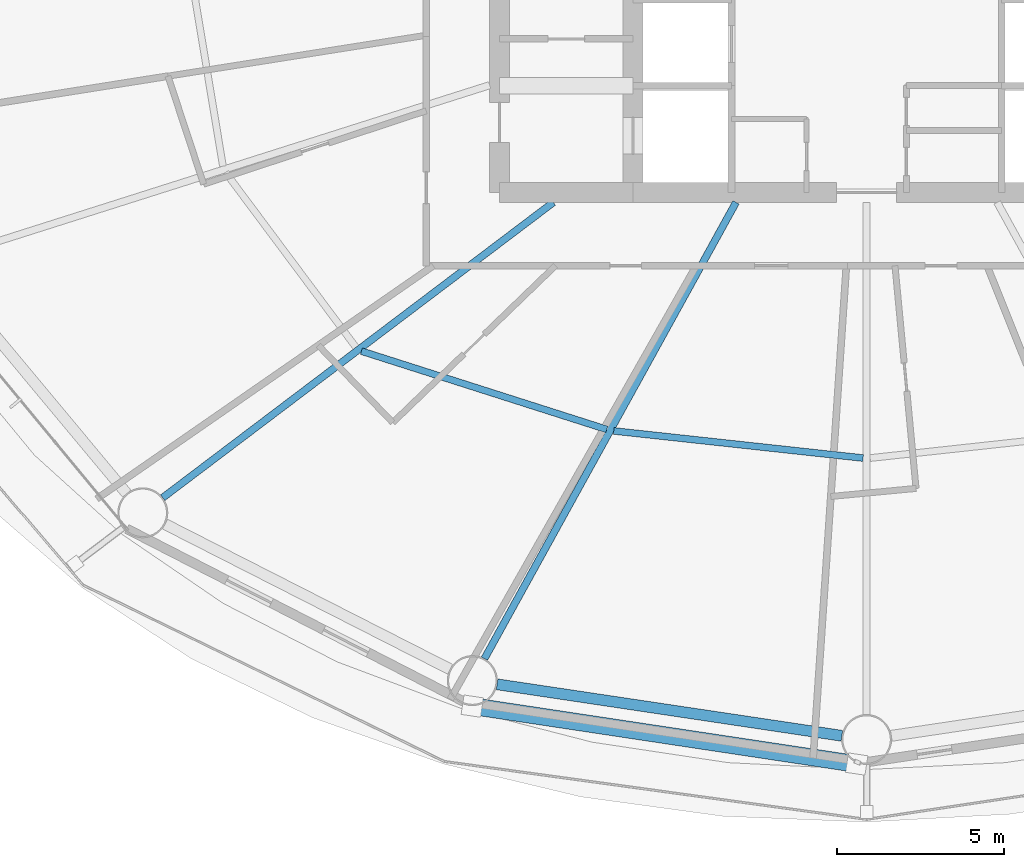
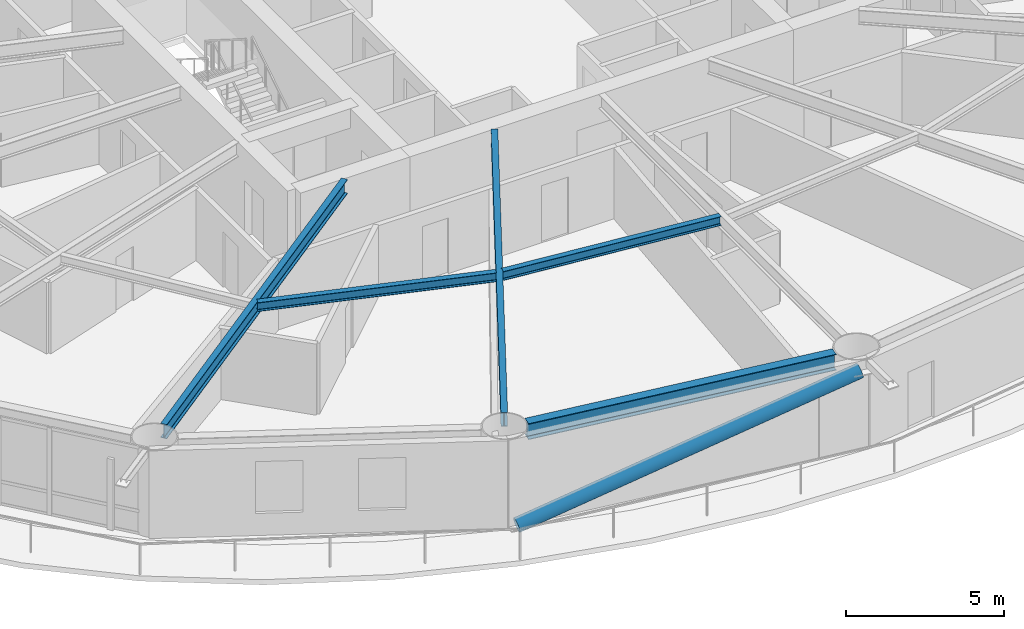
# One storey, part 3 of 28: 5 beams, 1 member.
"""IFC4 building model written with IfcOpenShell, lengths in metres."""

from ifc_helpers import new_model, si_unit, direction, frame, origin, origin_2d, place, context, subcontext, project, spatial, hollow_circle, i_section, extrude, material, material_profile, profile_set, type_object, element, save


model = new_model("IFC4")

# Units and contexts
model_context = context("Model", 3, precision=1e-05, world=origin(), true_north=direction((0.0, 1.0)))
body_context = subcontext(model_context, "Body", "Model", "MODEL_VIEW")
ifc_project = project(units=[si_unit("LENGTHUNIT", "METRE"), si_unit("AREAUNIT", "SQUARE_METRE"), si_unit("VOLUMEUNIT", "CUBIC_METRE"), si_unit("PLANEANGLEUNIT", "RADIAN"), si_unit("MASSUNIT", "GRAM", prefix="KILO")], contexts=[model_context])

# Site, building, storey
site_placement = place(None, origin())
site = spatial("IfcSite", under=ifc_project, at=site_placement, CompositionType="ELEMENT")
building_placement = place(site_placement, origin())
building = spatial("IfcBuilding", under=site, at=building_placement, Name="Sarneth Arch Tower", CompositionType="ELEMENT")
storey_placement = place(building_placement, frame((0.0, 0.0, 67.800048828125)))
storey = spatial("IfcBuildingStorey", under=building, at=storey_placement, Name="L16", CompositionType="ELEMENT", Elevation=67.800048828125)

# Beams
ifc_material_1 = material(Name="Steel S355", Category="steel")
ifc_material_profile_1 = material_profile(ifc_material_1, i_section(OverallWidth=0.202880859375, OverallDepth=0.346923828125, WebThickness=0.0078125, FlangeThickness=0.013427734375, FilletRadius=0.014892578125, at=origin_2d()), Name="W360x64")
ifc_profile_set_1 = profile_set([ifc_material_profile_1], Name="Steel S355")
beam_type_1 = type_object("IfcBeamType", Name="BM-JOIST-360C", PredefinedType="JOIST", material=ifc_profile_set_1)
beam_1_placement = place(storey_placement, frame((32.857666015625, 30.441162109375, 3.20654296875), z_axis=(0.95266836992, -0.304011475036, 0.0), x_axis=(0.304011475036, 0.95266836992, 0.0)))
element("IfcBeam", 1, at=beam_1_placement, inside=storey, type_object=beam_type_1, Name="L16 Secondary floor joist 11", PredefinedType="JOIST", context=body_context, shape_type="SweptSolid", body=[
    extrude(i_section(OverallWidth=0.202880859375, OverallDepth=0.346923828125, WebThickness=0.0078125, FlangeThickness=0.013427734375, FilletRadius=0.014892578125, at=origin_2d()), origin(), (0.0, 0.0, 1.0), 7.720703125),
])
beam_2_placement = place(storey_placement, frame((40.421142578125, 28.0498046875, 3.20654296875), z_axis=(0.994129966112, -0.108192469602, 0.0), x_axis=(0.108192469602, 0.994129966112, 0.0)))
element("IfcBeam", 2, at=beam_2_placement, inside=storey, type_object=beam_type_1, Name="L16 Secondary floor joist 12", PredefinedType="JOIST", context=body_context, shape_type="SweptSolid", body=[
    extrude(i_section(OverallWidth=0.202880859375, OverallDepth=0.346923828125, WebThickness=0.0078125, FlangeThickness=0.013427734375, FilletRadius=0.014892578125, at=origin_2d()), origin(), (0.0, 0.0, 1.0), 7.5166015625),
])
ifc_material_2 = material(Name="Steel S355", Category="steel")
ifc_material_profile_2 = material_profile(ifc_material_2, i_section(OverallWidth=0.214111328125, OverallDepth=0.549072265625, WebThickness=0.0146484375, FlangeThickness=0.023681640625, FilletRadius=0.01806640625, at=origin_2d()), Name="W530x138")
ifc_profile_set_2 = profile_set([ifc_material_profile_2], Name="Steel S355")
beam_type_2 = type_object("IfcBeamType", Name="BM-RAD-530A", PredefinedType="BEAM", material=ifc_profile_set_2)
beam_3_placement = place(storey_placement, frame((38.609619140625, 34.89990234375, 3.10546875), z_axis=(-0.79765464731, -0.603114469753, 0.0), x_axis=(0.603114469753, -0.79765464731, 0.0)))
element("IfcBeam", 3, at=beam_3_placement, inside=storey, type_object=beam_type_2, Name="L16 Radial floor girder 11", PredefinedType="BEAM", context=body_context, shape_type="SweptSolid", body=[
    extrude(i_section(OverallWidth=0.214111328125, OverallDepth=0.549072265625, WebThickness=0.0146484375, FlangeThickness=0.023681640625, FilletRadius=0.01806640625, at=origin_2d()), origin(), (0.0, 0.0, 1.0), 14.677978515625),
])
beam_4_placement = place(storey_placement, frame((44.08544921875, 34.89990234375, 3.10546875), z_axis=(-0.482841370957, -0.875707833979, 0.0), x_axis=(0.875707833979, -0.482841370957, 0.0)))
element("IfcBeam", 4, at=beam_4_placement, inside=storey, type_object=beam_type_2, Name="L16 Radial floor girder 12", PredefinedType="BEAM", context=body_context, shape_type="SweptSolid", body=[
    extrude(i_section(OverallWidth=0.214111328125, OverallDepth=0.549072265625, WebThickness=0.0146484375, FlangeThickness=0.023681640625, FilletRadius=0.01806640625, at=origin_2d()), origin(), (0.0, 0.0, 1.0), 15.618408203125),
])
ifc_material_3 = material(Name="Steel S355", Category="steel")
ifc_material_profile_3 = material_profile(ifc_material_3, i_section(OverallWidth=0.326904296875, OverallDepth=0.6220703125, WebThickness=0.015380859375, FlangeThickness=0.0244140625, FilletRadius=0.01904296875, at=origin_2d()), Name="W610x195")
ifc_profile_set_3 = profile_set([ifc_material_profile_3], Name="Steel S355")
beam_type_3 = type_object("IfcBeamType", Name="BM-SPAN-610A", PredefinedType="SPANDREL", material=ifc_profile_set_3)
beam_5_placement = place(storey_placement, frame((36.923828125, 20.455078125, 3.06884765625), z_axis=(0.989020169581, -0.147780594675, 0.0), x_axis=(0.147780594675, 0.989020169581, 0.0)))
element("IfcBeam", 5, at=beam_5_placement, inside=storey, type_object=beam_type_3, Name="L16 Perimeter spandrel beam 12", PredefinedType="SPANDREL", context=body_context, shape_type="SweptSolid", body=[
    extrude(i_section(OverallWidth=0.326904296875, OverallDepth=0.6220703125, WebThickness=0.015380859375, FlangeThickness=0.0244140625, FilletRadius=0.01904296875, at=origin_2d()), origin(), (0.0, 0.0, 1.0), 10.44921875),
])

# Member
ifc_material_4 = material(Name="Steel S355", Category="steel")
ifc_material_profile_4 = material_profile(ifc_material_4, hollow_circle(Radius=0.25390625, WallThickness=0.01611328125, at=origin_2d()), Name="CHS508x16")
ifc_profile_set_4 = profile_set([ifc_material_profile_4], Name="Steel S355")
member_type = type_object("IfcMemberType", Name="MEM-DIAG-BR1", PredefinedType="BRACE", material=ifc_profile_set_4)
member_placement = place(storey_placement, frame((36.180419921875, 19.80078125, 0.02001953125), z_axis=(0.957875899759, -0.144316613483, 0.248287083301), x_axis=(0.1489817545, 0.988839944999, 0.0)))
element("IfcMember", 6, at=member_placement, inside=storey, type_object=member_type, Name="L16 Perimeter frame diagonal 12", PredefinedType="BRACE", context=body_context, shape_type="SweptSolid", body=[
    extrude(hollow_circle(Radius=0.25390625, WallThickness=0.01611328125, at=origin_2d()), origin(), (0.0, 0.0, 1.0), 12.02978515625),
])

save(model, "model.ifc")
